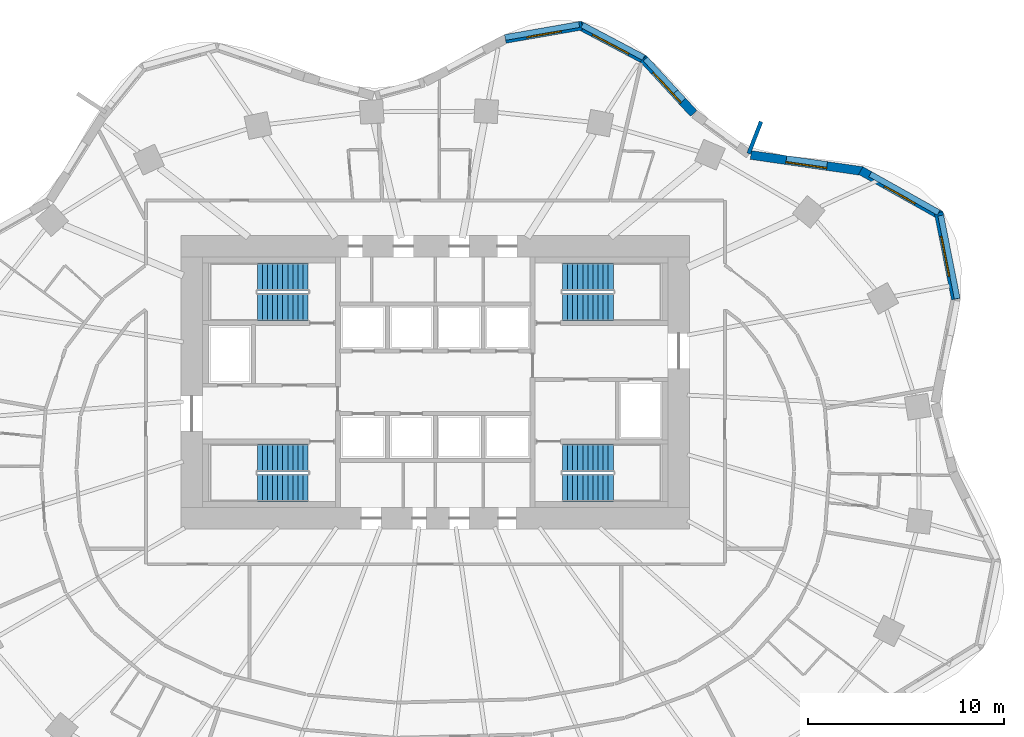
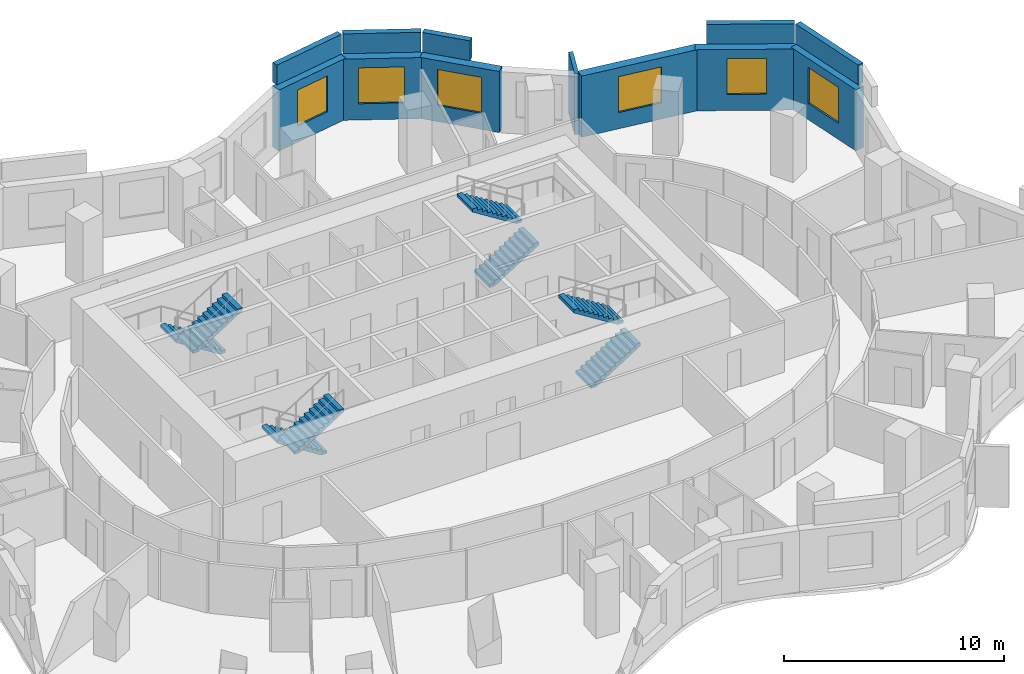
# One storey, part 9 of 10: 12 walls, 8 stair flights, 6 windows, 6 openings, 4 elements without a shape of their own.
"""IFC4 building model written with IfcOpenShell, lengths in metres."""

from ifc_helpers import new_model, si_unit, direction, frame, frame_2d, origin, place, context, subcontext, project, spatial, polyline, rectangle, outline, extrude, material, layer, layer_set, type_object, element, fill, aggregate, save


model = new_model("IFC4")

# Units and contexts
model_context = context("Model", 3, precision=1e-05, world=origin(), true_north=direction((0.0, 1.0)))
body_context = subcontext(model_context, "Body", "Model", "MODEL_VIEW")
ifc_project = project(units=[si_unit("LENGTHUNIT", "METRE"), si_unit("AREAUNIT", "SQUARE_METRE"), si_unit("VOLUMEUNIT", "CUBIC_METRE"), si_unit("PLANEANGLEUNIT", "RADIAN"), si_unit("MASSUNIT", "GRAM", prefix="KILO")], contexts=[model_context])

# Site, building, storey
site_placement = place(None, origin())
site = spatial("IfcSite", under=ifc_project, at=site_placement, CompositionType="ELEMENT")
building_placement = place(site_placement, origin())
building = spatial("IfcBuilding", under=site, at=building_placement, Name="Rubra Terraces Tower", CompositionType="ELEMENT")
storey_placement = place(building_placement, frame((0.0, 0.0, 96.0)))
storey = spatial("IfcBuildingStorey", under=building, at=storey_placement, Name="L22", CompositionType="ELEMENT", Elevation=96.0)

# Wall, opening, window
ifc_material_1 = material(Name="Brick masonry red-brown", Category="masonry")
ifc_layer_1 = layer(ifc_material_1, 0.449951171875)
ifc_layer_set_1 = layer_set([ifc_layer_1], Name="Brick masonry red-brown")
wall_type_1 = type_object("IfcWallType", Name="Brick facade wall 450", PredefinedType="SOLIDWALL", material=ifc_layer_set_1)
wall_1_placement = place(storey_placement, frame((26.609619140625, 8.747802734375, 0.0), z_axis=(0.0, 0.0, 1.0), x_axis=(-0.193923166402, 0.981016720312, 0.0)))
wall_1 = element("IfcWall", 1, at=wall_1_placement, inside=storey, type_object=wall_type_1, Name="Facade wall L22 bay 3", PredefinedType="SOLIDWALL", context=body_context, shape_type="SweptSolid", body=[
    extrude(rectangle(XDim=4.518310546875, YDim=0.449951171875, at=frame_2d((2.25927734375, 0.0))), origin(), (0.0, 0.0, 1.0), 3.39990234375),
])
opening_1_placement = place(wall_1_placement, frame((1.209228515625, 0.0, 0.89990234375)))
opening_1 = element("IfcOpeningElement", 2, at=opening_1_placement, cuts=wall_1, Name="Opening W1", PredefinedType="OPENING", context=body_context, shape_type="SweptSolid", body=[
    extrude(rectangle(XDim=2.10009765625, YDim=2.0, at=frame_2d((1.050048828125, 1.0))), frame((0.0, 0.23486328125, 0.0), z_axis=(0.0, -1.0, 0.0), x_axis=(1.0, 0.0, 0.0)), (0.0, 0.0, 1.0), 0.469970703125),
])
ifc_material_2 = material(Name="Clear glass in aluminium frame", Category="aluminium")
window_type_1 = type_object("IfcWindowType", Name="Fixed deep-set window 2100 x 2000", PartitioningType="SINGLE_PANEL", PredefinedType="WINDOW", material=ifc_material_2)
window_1_placement = place(opening_1_placement, origin())
window_1 = element("IfcWindow", 3, at=window_1_placement, inside=storey, type_object=window_type_1, Name="Window L22 bay 3", OverallHeight=2.0, OverallWidth=2.10009765625, PartitioningType="SINGLE_PANEL", PredefinedType="WINDOW", context=body_context, shape_type="SweptSolid", body=[
    extrude(rectangle(XDim=2.10009765625, YDim=2.0, at=frame_2d((1.050048828125, 1.0))), frame((0.0, 0.135009765625, 0.0), z_axis=(0.0, -1.0, 0.0), x_axis=(1.0, 0.0, 0.0)), (0.0, 0.0, 1.0), 0.06005859375),
])
fill(opening_1, window_1)

wall_2_placement = place(storey_placement, frame((25.843994140625, 13.027587890625, 0.0), z_axis=(0.0, 0.0, 1.0), x_axis=(-0.872346398261, 0.488888291373, 0.0)))
wall_2 = element("IfcWall", 4, at=wall_2_placement, inside=storey, type_object=wall_type_1, Name="Facade wall L22 bay 4", PredefinedType="SOLIDWALL", context=body_context, shape_type="SweptSolid", body=[
    extrude(rectangle(XDim=4.696044921875, YDim=0.449951171875, at=frame_2d((2.34814453125, 0.0))), origin(), (0.0, 0.0, 1.0), 3.39990234375),
])
opening_2_placement = place(wall_2_placement, frame((1.447998046875, 0.0, 0.89990234375)))
opening_2 = element("IfcOpeningElement", 5, at=opening_2_placement, cuts=wall_2, Name="Opening W6", PredefinedType="OPENING", context=body_context, shape_type="SweptSolid", body=[
    extrude(rectangle(XDim=1.800048828125, YDim=2.0, at=frame_2d((0.89990234375, 1.0))), frame((0.0, 0.23486328125, 0.0), z_axis=(0.0, -1.0, 0.0), x_axis=(1.0, 0.0, 0.0)), (0.0, 0.0, 1.0), 0.469970703125),
])
window_type_2 = type_object("IfcWindowType", Name="Fixed deep-set window at wind fin 1800 x 2000", PartitioningType="SINGLE_PANEL", PredefinedType="WINDOW", material=ifc_material_2)
window_2_placement = place(opening_2_placement, origin())
window_2 = element("IfcWindow", 6, at=window_2_placement, inside=storey, type_object=window_type_2, Name="Window L22 bay 4", OverallHeight=2.0, OverallWidth=1.800048828125, PartitioningType="SINGLE_PANEL", PredefinedType="WINDOW", context=body_context, shape_type="SweptSolid", body=[
    extrude(rectangle(XDim=1.800048828125, YDim=2.0, at=frame_2d((0.89990234375, 1.0))), frame((0.0, 0.135009765625, 0.0), z_axis=(0.0, -1.0, 0.0), x_axis=(1.0, 0.0, 0.0)), (0.0, 0.0, 1.0), 0.06005859375),
])
fill(opening_2, window_2)

wall_3_placement = place(storey_placement, frame((21.8251953125, 15.297119140625, 0.0), z_axis=(0.0, 0.0, 1.0), x_axis=(-0.98971474215, 0.143054986527, 0.0)))
wall_3 = element("IfcWall", 7, at=wall_3_placement, inside=storey, type_object=wall_type_1, Name="Facade wall L22 bay 5", PredefinedType="SOLIDWALL", context=body_context, shape_type="SweptSolid", body=[
    extrude(rectangle(XDim=5.7529296875, YDim=0.449951171875, at=frame_2d((2.87646484375, 0.0))), origin(), (0.0, 0.0, 1.0), 3.39990234375),
])
opening_3_placement = place(wall_3_placement, frame((1.826416015625, 0.0, 0.89990234375)))
opening_3 = element("IfcOpeningElement", 8, at=opening_3_placement, cuts=wall_3, Name="Opening W1", PredefinedType="OPENING", context=body_context, shape_type="SweptSolid", body=[
    extrude(rectangle(XDim=2.10009765625, YDim=2.0, at=frame_2d((1.050048828125, 1.0))), frame((0.0, 0.23486328125, 0.0), z_axis=(0.0, -1.0, 0.0), x_axis=(1.0, 0.0, 0.0)), (0.0, 0.0, 1.0), 0.469970703125),
])
window_3_placement = place(opening_3_placement, origin())
window_3 = element("IfcWindow", 9, at=window_3_placement, inside=storey, type_object=window_type_1, Name="Window L22 bay 5", OverallHeight=2.0, OverallWidth=2.10009765625, PartitioningType="SINGLE_PANEL", PredefinedType="WINDOW", context=body_context, shape_type="SweptSolid", body=[
    extrude(rectangle(XDim=2.10009765625, YDim=2.0, at=frame_2d((1.050048828125, 1.0))), frame((0.0, 0.135009765625, 0.0), z_axis=(0.0, -1.0, 0.0), x_axis=(1.0, 0.0, 0.0)), (0.0, 0.0, 1.0), 0.06005859375),
])
fill(opening_3, window_3)

wall_4_placement = place(storey_placement, frame((13.20947265625, 18.242919921875, 0.0), z_axis=(0.0, 0.0, 1.0), x_axis=(-0.677612152497, 0.735419452278, 0.0)))
wall_4 = element("IfcWall", 10, at=wall_4_placement, inside=storey, type_object=wall_type_1, Name="Facade wall L22 bay 7", PredefinedType="SOLIDWALL", context=body_context, shape_type="SweptSolid", body=[
    extrude(rectangle(XDim=3.796875, YDim=0.449951171875, at=frame_2d((1.8984375, 0.0))), origin(), (0.0, 0.0, 1.0), 3.39990234375),
])
opening_4_placement = place(wall_4_placement, frame((0.848388671875, 0.0, 0.89990234375)))
opening_4 = element("IfcOpeningElement", 11, at=opening_4_placement, cuts=wall_4, Name="Opening W1", PredefinedType="OPENING", context=body_context, shape_type="SweptSolid", body=[
    extrude(rectangle(XDim=2.10009765625, YDim=2.0, at=frame_2d((1.050048828125, 1.0))), frame((0.0, 0.23486328125, 0.0), z_axis=(0.0, -1.0, 0.0), x_axis=(1.0, 0.0, 0.0)), (0.0, 0.0, 1.0), 0.469970703125),
])
window_4_placement = place(opening_4_placement, origin())
window_4 = element("IfcWindow", 12, at=window_4_placement, inside=storey, type_object=window_type_1, Name="Window L22 bay 7", OverallHeight=2.0, OverallWidth=2.10009765625, PartitioningType="SINGLE_PANEL", PredefinedType="WINDOW", context=body_context, shape_type="SweptSolid", body=[
    extrude(rectangle(XDim=2.10009765625, YDim=2.0, at=frame_2d((1.050048828125, 1.0))), frame((0.0, 0.135009765625, 0.0), z_axis=(0.0, -1.0, 0.0), x_axis=(1.0, 0.0, 0.0)), (0.0, 0.0, 1.0), 0.06005859375),
])
fill(opening_4, window_4)

wall_5_placement = place(storey_placement, frame((10.692626953125, 20.9931640625, 0.0), z_axis=(0.0, 0.0, 1.0), x_axis=(-0.883817790726, 0.46783128668, 0.0)))
wall_5 = element("IfcWall", 13, at=wall_5_placement, inside=storey, type_object=wall_type_1, Name="Facade wall L22 bay 8", PredefinedType="SOLIDWALL", context=body_context, shape_type="SweptSolid", body=[
    extrude(rectangle(XDim=3.776611328125, YDim=0.449951171875, at=frame_2d((1.88818359375, 0.0))), origin(), (0.0, 0.0, 1.0), 3.39990234375),
])
opening_5_placement = place(wall_5_placement, frame((0.83837890625, 0.0, 0.89990234375)))
opening_5 = element("IfcOpeningElement", 14, at=opening_5_placement, cuts=wall_5, Name="Opening W1", PredefinedType="OPENING", context=body_context, shape_type="SweptSolid", body=[
    extrude(rectangle(XDim=2.10009765625, YDim=2.0, at=frame_2d((1.050048828125, 1.0))), frame((0.0, 0.23486328125, 0.0), z_axis=(0.0, -1.0, 0.0), x_axis=(1.0, 0.0, 0.0)), (0.0, 0.0, 1.0), 0.469970703125),
])
window_5_placement = place(opening_5_placement, origin())
window_5 = element("IfcWindow", 15, at=window_5_placement, inside=storey, type_object=window_type_1, Name="Window L22 bay 8", OverallHeight=2.0, OverallWidth=2.10009765625, PartitioningType="SINGLE_PANEL", PredefinedType="WINDOW", context=body_context, shape_type="SweptSolid", body=[
    extrude(rectangle(XDim=2.10009765625, YDim=2.0, at=frame_2d((1.050048828125, 1.0))), frame((0.0, 0.135009765625, 0.0), z_axis=(0.0, -1.0, 0.0), x_axis=(1.0, 0.0, 0.0)), (0.0, 0.0, 1.0), 0.06005859375),
])
fill(opening_5, window_5)

wall_6_placement = place(storey_placement, frame((7.49853515625, 22.7373046875, 0.0), z_axis=(0.0, 0.0, 1.0), x_axis=(-0.98521220506, -0.171338585849, 0.0)))
wall_6 = element("IfcWall", 16, at=wall_6_placement, inside=storey, type_object=wall_type_1, Name="Facade wall L22 bay 9", PredefinedType="SOLIDWALL", context=body_context, shape_type="SweptSolid", body=[
    extrude(rectangle(XDim=3.979736328125, YDim=0.449951171875, at=frame_2d((1.98974609375, 0.0))), origin(), (0.0, 0.0, 1.0), 3.39990234375),
])
opening_6_placement = place(wall_6_placement, frame((1.08984375, 0.0, 0.89990234375)))
opening_6 = element("IfcOpeningElement", 17, at=opening_6_placement, cuts=wall_6, Name="Opening W6", PredefinedType="OPENING", context=body_context, shape_type="SweptSolid", body=[
    extrude(rectangle(XDim=1.800048828125, YDim=2.0, at=frame_2d((0.89990234375, 1.0))), frame((0.0, 0.23486328125, 0.0), z_axis=(0.0, -1.0, 0.0), x_axis=(1.0, 0.0, 0.0)), (0.0, 0.0, 1.0), 0.469970703125),
])
window_6_placement = place(opening_6_placement, origin())
window_6 = element("IfcWindow", 18, at=window_6_placement, inside=storey, type_object=window_type_2, Name="Window L22 bay 9", OverallHeight=2.0, OverallWidth=1.800048828125, PartitioningType="SINGLE_PANEL", PredefinedType="WINDOW", context=body_context, shape_type="SweptSolid", body=[
    extrude(rectangle(XDim=1.800048828125, YDim=2.0, at=frame_2d((0.89990234375, 1.0))), frame((0.0, 0.135009765625, 0.0), z_axis=(0.0, -1.0, 0.0), x_axis=(1.0, 0.0, 0.0)), (0.0, 0.0, 1.0), 0.06005859375),
])
fill(opening_6, window_6)

# Walls
ifc_layer_2 = layer(ifc_material_1, 0.300048828125)
ifc_layer_set_2 = layer_set([ifc_layer_2], Name="Brick masonry red-brown")
wall_type_2 = type_object("IfcWallType", Name="Brick parapet 300", PredefinedType="PARAPET", material=ifc_layer_set_2)
wall_7_placement = place(storey_placement, frame((26.6796875, 8.7802734375, 3.60009765625), z_axis=(0.0, 0.0, 1.0), x_axis=(-0.193937094138, 0.981013967035, 0.0)))
element("IfcWall", 19, at=wall_7_placement, inside=storey, type_object=wall_type_2, Name="Parapet L22 bay 3", PredefinedType="PARAPET", context=body_context, shape_type="SweptSolid", body=[
    extrude(rectangle(XDim=4.331787109375, YDim=0.300048828125, at=frame_2d((2.166015625, 0.0))), origin(), (0.0, 0.0, 1.0), 1.099853515625),
])
wall_8_placement = place(storey_placement, frame((25.733642578125, 13.175537109375, 3.60009765625), z_axis=(0.0, 0.0, 1.0), x_axis=(-0.872347343965, 0.488886603905, 0.0)))
element("IfcWall", 20, at=wall_8_placement, inside=storey, type_object=wall_type_2, Name="Parapet L22 bay 4", PredefinedType="PARAPET", context=body_context, shape_type="SweptSolid", body=[
    extrude(rectangle(XDim=4.015625, YDim=0.300048828125, at=frame_2d((2.0078125, 0.0))), origin(), (0.0, 0.0, 1.0), 1.099853515625),
])
wall_9_placement = place(storey_placement, frame((12.287841796875, 19.353759765625, 3.60009765625), z_axis=(0.0, 0.0, 1.0), x_axis=(-0.677603807485, 0.735427141246, 0.0)))
element("IfcWall", 21, at=wall_9_placement, inside=storey, type_object=wall_type_2, Name="Parapet L22 bay 7", PredefinedType="PARAPET", context=body_context, shape_type="SweptSolid", body=[
    extrude(rectangle(XDim=2.280029296875, YDim=0.300048828125, at=frame_2d((1.14013671875, 0.0))), origin(), (0.0, 0.0, 1.0), 1.099853515625),
])
wall_10_placement = place(storey_placement, frame((10.656005859375, 21.097412109375, 3.60009765625), z_axis=(0.0, 0.0, 1.0), x_axis=(-0.883797916666, 0.467868830439, 0.0)))
element("IfcWall", 22, at=wall_10_placement, inside=storey, type_object=wall_type_2, Name="Parapet L22 bay 8", PredefinedType="PARAPET", context=body_context, shape_type="SweptSolid", body=[
    extrude(rectangle(XDim=3.56298828125, YDim=0.300048828125, at=frame_2d((1.781494140625, 0.0))), origin(), (0.0, 0.0, 1.0), 1.099853515625),
])
wall_11_placement = place(storey_placement, frame((7.35498046875, 22.78857421875, 3.60009765625), z_axis=(0.0, 0.0, 1.0), x_axis=(-0.985201040548, -0.171402770404, 0.0)))
element("IfcWall", 23, at=wall_11_placement, inside=storey, type_object=wall_type_2, Name="Parapet L22 bay 9", PredefinedType="PARAPET", context=body_context, shape_type="SweptSolid", body=[
    extrude(rectangle(XDim=3.84716796875, YDim=0.300048828125, at=frame_2d((1.923583984375, 0.0))), origin(), (0.0, 0.0, 1.0), 1.099853515625),
])
ifc_layer_3 = layer(ifc_material_1, 0.199951171875)
ifc_layer_set_3 = layer_set([ifc_layer_3], Name="Brick masonry red-brown")
wall_type_3 = type_object("IfcWallType", Name="Brick wind fin 200", PredefinedType="SOLIDWALL", material=ifc_layer_set_3)
wall_12_placement = place(storey_placement, frame((16.01904296875, 16.195068359375, 0.0), z_axis=(0.0, 0.0, 1.0), x_axis=(0.362641522028, 0.931928713208, 0.0)))
element("IfcWall", 24, at=wall_12_placement, inside=storey, type_object=wall_type_3, Name="Wind fin L22 4", PredefinedType="SOLIDWALL", context=body_context, shape_type="SweptSolid", body=[
    extrude(rectangle(XDim=1.749755859375, YDim=0.199951171875, at=frame_2d((0.875, 0.0))), origin(), (0.0, 0.0, 1.0), 3.39990234375),
])

# Stair, stair flights
ifc_material_3 = material(Name="Concrete C40", Category="concrete")
stair_type = type_object("IfcStairType", Name="Core stair 1400", PredefinedType="HALF_TURN_STAIR", material=ifc_material_3)
stair_1_placement = place(storey_placement, origin())
stair_1 = element("IfcStair", 25, at=stair_1_placement, inside=storey, type_object=stair_type, Name="L22 Exit stair S1", PredefinedType="HALF_TURN_STAIR")
stair_flight_type = type_object("IfcStairFlightType", Name="Core stair flight 1400", PredefinedType="STRAIGHT", material=ifc_material_3)
stair_flight_1_placement = place(storey_placement, frame((-6.5, 0.64990234375, 0.0), z_axis=(0.0, 0.0, 1.0), x_axis=(-1.0, 0.0, 0.0)))
stair_flight_1 = element("IfcStairFlight", 26, at=stair_flight_1_placement, type_object=stair_flight_type, Name="S1 flight 1", NumberOfRisers=11, NumberOfTreads=10, PredefinedType="STRAIGHT", RiserHeight=0.163636364, TreadLength=0.26, context=body_context, shape_type="SweptSolid", body=[
    extrude(outline(polyline([(0.0, 0.0), (0.0, 0.16357421875), (0.260009765625, 0.16357421875), (0.260009765625, 0.327392578125), (0.52001953125, 0.327392578125), (0.52001953125, 0.490966796875), (0.780029296875, 0.490966796875), (0.780029296875, 0.654541015625), (1.0400390625, 0.654541015625), (1.0400390625, 0.818115234375), (1.300048828125, 0.818115234375), (1.300048828125, 0.98193359375), (1.56005859375, 0.98193359375), (1.56005859375, 1.1455078125), (1.820068359375, 1.1455078125), (1.820068359375, 1.30908203125), (2.080078125, 1.30908203125), (2.080078125, 1.47265625), (2.340087890625, 1.47265625), (2.340087890625, 1.636474609375), (2.60009765625, 1.636474609375), (2.60009765625, 1.800048828125), (2.60009765625, 1.459228515625), (0.281494140625, 0.0), (0.0, 0.0)])), frame((0.0, 0.699951171875, 0.0), z_axis=(0.0, -1.0, 0.0), x_axis=(1.0, 0.0, 0.0)), (0.0, 0.0, 1.0), 1.39990234375),
])
stair_flight_2_placement = place(storey_placement, frame((-9.10009765625, -0.89990234375, 1.800048828125), z_axis=(0.0, 0.0, 1.0), x_axis=(1.0, 0.0, 0.0)))
stair_flight_2 = element("IfcStairFlight", 27, at=stair_flight_2_placement, type_object=stair_flight_type, Name="S1 flight 2", NumberOfRisers=11, NumberOfTreads=10, PredefinedType="STRAIGHT", RiserHeight=0.163636364, TreadLength=0.26, context=body_context, shape_type="SweptSolid", body=[
    extrude(outline(polyline([(0.0, 0.0), (0.0, 0.16357421875), (0.260009765625, 0.16357421875), (0.260009765625, 0.327392578125), (0.52001953125, 0.327392578125), (0.52001953125, 0.490966796875), (0.780029296875, 0.490966796875), (0.780029296875, 0.654541015625), (1.0400390625, 0.654541015625), (1.0400390625, 0.818115234375), (1.300048828125, 0.818115234375), (1.300048828125, 0.98193359375), (1.56005859375, 0.98193359375), (1.56005859375, 1.1455078125), (1.820068359375, 1.1455078125), (1.820068359375, 1.30908203125), (2.080078125, 1.30908203125), (2.080078125, 1.47265625), (2.340087890625, 1.47265625), (2.340087890625, 1.636474609375), (2.60009765625, 1.636474609375), (2.60009765625, 1.800048828125), (2.60009765625, 1.459228515625), (0.281494140625, 0.0), (0.0, 0.0)])), frame((0.0, 0.699951171875, 0.0), z_axis=(0.0, -1.0, 0.0), x_axis=(1.0, 0.0, 0.0)), (0.0, 0.0, 1.0), 1.39990234375),
])
aggregate(stair_1, [stair_flight_1, stair_flight_2])

stair_2_placement = place(storey_placement, origin())
stair_2 = element("IfcStair", 28, at=stair_2_placement, inside=storey, type_object=stair_type, Name="L22 Exit stair S2", PredefinedType="HALF_TURN_STAIR")
stair_flight_3_placement = place(storey_placement, frame((-6.5, 9.89990234375, 0.0), z_axis=(0.0, 0.0, 1.0), x_axis=(-1.0, 0.0, 0.0)))
stair_flight_3 = element("IfcStairFlight", 29, at=stair_flight_3_placement, type_object=stair_flight_type, Name="S2 flight 1", NumberOfRisers=11, NumberOfTreads=10, PredefinedType="STRAIGHT", RiserHeight=0.163636364, TreadLength=0.26, context=body_context, shape_type="SweptSolid", body=[
    extrude(outline(polyline([(0.0, 0.0), (0.0, 0.16357421875), (0.260009765625, 0.16357421875), (0.260009765625, 0.327392578125), (0.52001953125, 0.327392578125), (0.52001953125, 0.490966796875), (0.780029296875, 0.490966796875), (0.780029296875, 0.654541015625), (1.0400390625, 0.654541015625), (1.0400390625, 0.818115234375), (1.300048828125, 0.818115234375), (1.300048828125, 0.98193359375), (1.56005859375, 0.98193359375), (1.56005859375, 1.1455078125), (1.820068359375, 1.1455078125), (1.820068359375, 1.30908203125), (2.080078125, 1.30908203125), (2.080078125, 1.47265625), (2.340087890625, 1.47265625), (2.340087890625, 1.636474609375), (2.60009765625, 1.636474609375), (2.60009765625, 1.800048828125), (2.60009765625, 1.459228515625), (0.281494140625, 0.0), (0.0, 0.0)])), frame((0.0, 0.699951171875, 0.0), z_axis=(0.0, -1.0, 0.0), x_axis=(1.0, 0.0, 0.0)), (0.0, 0.0, 1.0), 1.39990234375),
])
stair_flight_4_placement = place(storey_placement, frame((-9.10009765625, 8.35009765625, 1.800048828125), z_axis=(0.0, 0.0, 1.0), x_axis=(1.0, 0.0, 0.0)))
stair_flight_4 = element("IfcStairFlight", 30, at=stair_flight_4_placement, type_object=stair_flight_type, Name="S2 flight 2", NumberOfRisers=11, NumberOfTreads=10, PredefinedType="STRAIGHT", RiserHeight=0.163636364, TreadLength=0.26, context=body_context, shape_type="SweptSolid", body=[
    extrude(outline(polyline([(0.0, 0.0), (0.0, 0.16357421875), (0.260009765625, 0.16357421875), (0.260009765625, 0.327392578125), (0.52001953125, 0.327392578125), (0.52001953125, 0.490966796875), (0.780029296875, 0.490966796875), (0.780029296875, 0.654541015625), (1.0400390625, 0.654541015625), (1.0400390625, 0.818115234375), (1.300048828125, 0.818115234375), (1.300048828125, 0.98193359375), (1.56005859375, 0.98193359375), (1.56005859375, 1.1455078125), (1.820068359375, 1.1455078125), (1.820068359375, 1.30908203125), (2.080078125, 1.30908203125), (2.080078125, 1.47265625), (2.340087890625, 1.47265625), (2.340087890625, 1.636474609375), (2.60009765625, 1.636474609375), (2.60009765625, 1.800048828125), (2.60009765625, 1.459228515625), (0.281494140625, 0.0), (0.0, 0.0)])), frame((0.0, 0.699951171875, 0.0), z_axis=(0.0, -1.0, 0.0), x_axis=(1.0, 0.0, 0.0)), (0.0, 0.0, 1.0), 1.39990234375),
])
aggregate(stair_2, [stair_flight_3, stair_flight_4])

stair_3_placement = place(storey_placement, origin())
stair_3 = element("IfcStair", 31, at=stair_3_placement, inside=storey, type_object=stair_type, Name="L22 Exit stair S3", PredefinedType="HALF_TURN_STAIR")
stair_flight_5_placement = place(storey_placement, frame((6.5, 8.35009765625, 0.0), z_axis=(0.0, 0.0, 1.0), x_axis=(1.0, 0.0, 0.0)))
stair_flight_5 = element("IfcStairFlight", 32, at=stair_flight_5_placement, type_object=stair_flight_type, Name="S3 flight 1", NumberOfRisers=11, NumberOfTreads=10, PredefinedType="STRAIGHT", RiserHeight=0.163636364, TreadLength=0.26, context=body_context, shape_type="SweptSolid", body=[
    extrude(outline(polyline([(0.0, 0.0), (0.0, 0.16357421875), (0.260009765625, 0.16357421875), (0.260009765625, 0.327392578125), (0.52001953125, 0.327392578125), (0.52001953125, 0.490966796875), (0.780029296875, 0.490966796875), (0.780029296875, 0.654541015625), (1.0400390625, 0.654541015625), (1.0400390625, 0.818115234375), (1.300048828125, 0.818115234375), (1.300048828125, 0.98193359375), (1.56005859375, 0.98193359375), (1.56005859375, 1.1455078125), (1.820068359375, 1.1455078125), (1.820068359375, 1.30908203125), (2.080078125, 1.30908203125), (2.080078125, 1.47265625), (2.340087890625, 1.47265625), (2.340087890625, 1.636474609375), (2.60009765625, 1.636474609375), (2.60009765625, 1.800048828125), (2.60009765625, 1.459228515625), (0.281494140625, 0.0), (0.0, 0.0)])), frame((0.0, 0.699951171875, 0.0), z_axis=(0.0, -1.0, 0.0), x_axis=(1.0, 0.0, 0.0)), (0.0, 0.0, 1.0), 1.39990234375),
])
stair_flight_6_placement = place(storey_placement, frame((9.10009765625, 9.89990234375, 1.800048828125), z_axis=(0.0, 0.0, 1.0), x_axis=(-1.0, 0.0, 0.0)))
stair_flight_6 = element("IfcStairFlight", 33, at=stair_flight_6_placement, type_object=stair_flight_type, Name="S3 flight 2", NumberOfRisers=11, NumberOfTreads=10, PredefinedType="STRAIGHT", RiserHeight=0.163636364, TreadLength=0.26, context=body_context, shape_type="SweptSolid", body=[
    extrude(outline(polyline([(0.0, 0.0), (0.0, 0.16357421875), (0.260009765625, 0.16357421875), (0.260009765625, 0.327392578125), (0.52001953125, 0.327392578125), (0.52001953125, 0.490966796875), (0.780029296875, 0.490966796875), (0.780029296875, 0.654541015625), (1.0400390625, 0.654541015625), (1.0400390625, 0.818115234375), (1.300048828125, 0.818115234375), (1.300048828125, 0.98193359375), (1.56005859375, 0.98193359375), (1.56005859375, 1.1455078125), (1.820068359375, 1.1455078125), (1.820068359375, 1.30908203125), (2.080078125, 1.30908203125), (2.080078125, 1.47265625), (2.340087890625, 1.47265625), (2.340087890625, 1.636474609375), (2.60009765625, 1.636474609375), (2.60009765625, 1.800048828125), (2.60009765625, 1.459228515625), (0.281494140625, 0.0), (0.0, 0.0)])), frame((0.0, 0.699951171875, 0.0), z_axis=(0.0, -1.0, 0.0), x_axis=(1.0, 0.0, 0.0)), (0.0, 0.0, 1.0), 1.39990234375),
])
aggregate(stair_3, [stair_flight_5, stair_flight_6])

stair_4_placement = place(storey_placement, origin())
stair_4 = element("IfcStair", 34, at=stair_4_placement, inside=storey, type_object=stair_type, Name="L22 Exit stair S4", PredefinedType="HALF_TURN_STAIR")
stair_flight_7_placement = place(storey_placement, frame((6.5, -0.89990234375, 0.0), z_axis=(0.0, 0.0, 1.0), x_axis=(1.0, 0.0, 0.0)))
stair_flight_7 = element("IfcStairFlight", 35, at=stair_flight_7_placement, type_object=stair_flight_type, Name="S4 flight 1", NumberOfRisers=11, NumberOfTreads=10, PredefinedType="STRAIGHT", RiserHeight=0.163636364, TreadLength=0.26, context=body_context, shape_type="SweptSolid", body=[
    extrude(outline(polyline([(0.0, 0.0), (0.0, 0.16357421875), (0.260009765625, 0.16357421875), (0.260009765625, 0.327392578125), (0.52001953125, 0.327392578125), (0.52001953125, 0.490966796875), (0.780029296875, 0.490966796875), (0.780029296875, 0.654541015625), (1.0400390625, 0.654541015625), (1.0400390625, 0.818115234375), (1.300048828125, 0.818115234375), (1.300048828125, 0.98193359375), (1.56005859375, 0.98193359375), (1.56005859375, 1.1455078125), (1.820068359375, 1.1455078125), (1.820068359375, 1.30908203125), (2.080078125, 1.30908203125), (2.080078125, 1.47265625), (2.340087890625, 1.47265625), (2.340087890625, 1.636474609375), (2.60009765625, 1.636474609375), (2.60009765625, 1.800048828125), (2.60009765625, 1.459228515625), (0.281494140625, 0.0), (0.0, 0.0)])), frame((0.0, 0.699951171875, 0.0), z_axis=(0.0, -1.0, 0.0), x_axis=(1.0, 0.0, 0.0)), (0.0, 0.0, 1.0), 1.39990234375),
])
stair_flight_8_placement = place(storey_placement, frame((9.10009765625, 0.64990234375, 1.800048828125), z_axis=(0.0, 0.0, 1.0), x_axis=(-1.0, 0.0, 0.0)))
stair_flight_8 = element("IfcStairFlight", 36, at=stair_flight_8_placement, type_object=stair_flight_type, Name="S4 flight 2", NumberOfRisers=11, NumberOfTreads=10, PredefinedType="STRAIGHT", RiserHeight=0.163636364, TreadLength=0.26, context=body_context, shape_type="SweptSolid", body=[
    extrude(outline(polyline([(0.0, 0.0), (0.0, 0.16357421875), (0.260009765625, 0.16357421875), (0.260009765625, 0.327392578125), (0.52001953125, 0.327392578125), (0.52001953125, 0.490966796875), (0.780029296875, 0.490966796875), (0.780029296875, 0.654541015625), (1.0400390625, 0.654541015625), (1.0400390625, 0.818115234375), (1.300048828125, 0.818115234375), (1.300048828125, 0.98193359375), (1.56005859375, 0.98193359375), (1.56005859375, 1.1455078125), (1.820068359375, 1.1455078125), (1.820068359375, 1.30908203125), (2.080078125, 1.30908203125), (2.080078125, 1.47265625), (2.340087890625, 1.47265625), (2.340087890625, 1.636474609375), (2.60009765625, 1.636474609375), (2.60009765625, 1.800048828125), (2.60009765625, 1.459228515625), (0.281494140625, 0.0), (0.0, 0.0)])), frame((0.0, 0.699951171875, 0.0), z_axis=(0.0, -1.0, 0.0), x_axis=(1.0, 0.0, 0.0)), (0.0, 0.0, 1.0), 1.39990234375),
])
aggregate(stair_4, [stair_flight_7, stair_flight_8])

save(model, "model.ifc")
